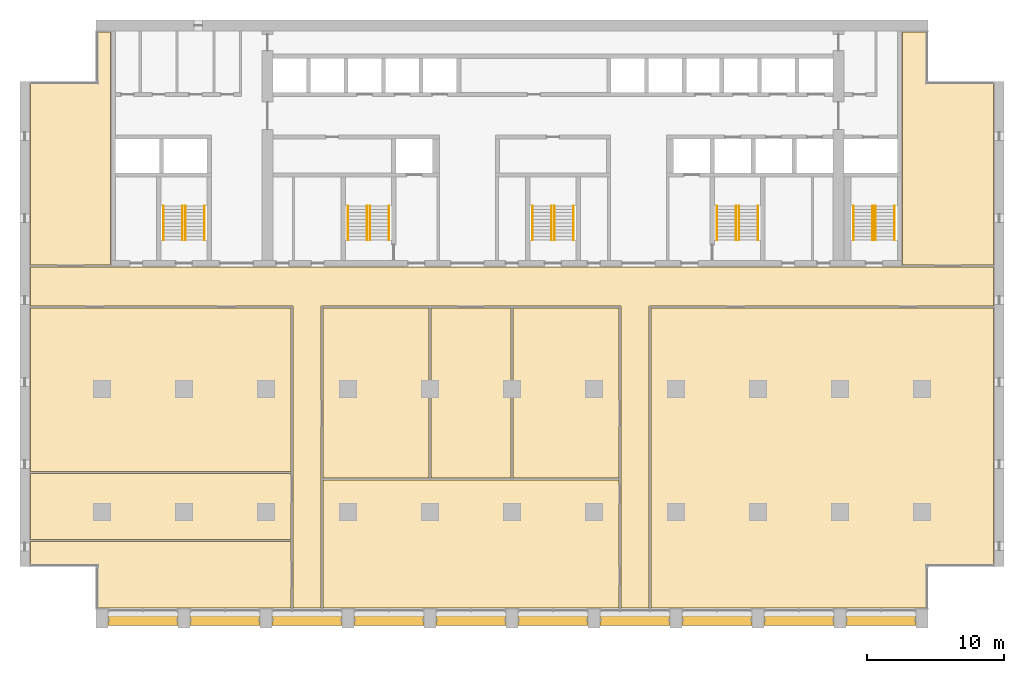
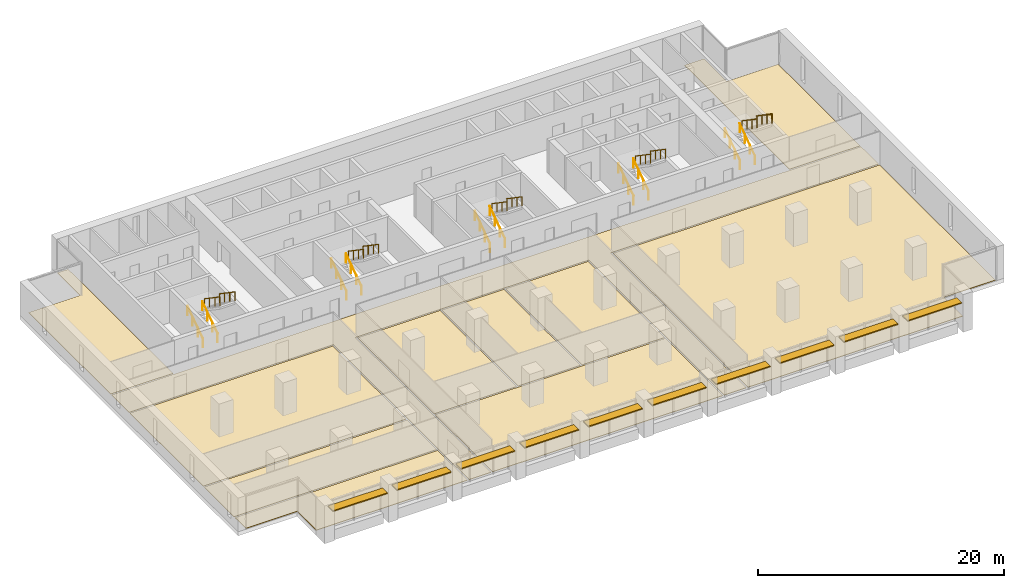
# One storey, part 15 of 15: 20 railings, 11 coverings, 10 shading devices, 5 elements without a shape of their own.
"""IFC4 building model written with IfcOpenShell, lengths in metres."""

from ifc_helpers import new_model, si_unit, direction, frame, origin, origin_2d, place, context, subcontext, project, spatial, polyline, rectangle, circle, outline, extrude, material, layer, layer_set, material_profile, profile_set, type_object, element, aggregate, save


model = new_model("IFC4")

# Units and contexts
model_context = context("Model", 3, precision=1e-05, world=origin(), true_north=direction((0.0, 1.0)))
body_context = subcontext(model_context, "Body", "Model", "MODEL_VIEW")
ifc_project = project(units=[si_unit("LENGTHUNIT", "METRE"), si_unit("AREAUNIT", "SQUARE_METRE"), si_unit("VOLUMEUNIT", "CUBIC_METRE"), si_unit("PLANEANGLEUNIT", "RADIAN"), si_unit("MASSUNIT", "GRAM", prefix="KILO")], contexts=[model_context])

# Site, building, storey
site_placement = place(None, origin())
site = spatial("IfcSite", under=ifc_project, at=site_placement, CompositionType="ELEMENT")
building_placement = place(site_placement, origin())
building = spatial("IfcBuilding", under=site, at=building_placement, Name="Calvaro Tower", CompositionType="ELEMENT")
storey_placement = place(building_placement, frame((0.0, 0.0, 121.25)))
storey = spatial("IfcBuildingStorey", under=building, at=storey_placement, Name="L30", CompositionType="ELEMENT", Elevation=121.25)

# Shading devices
ifc_material_1 = material(Name="Anodised aluminium", Category="aluminium")
ifc_material_profile = material_profile(ifc_material_1, rectangle(XDim=0.800048828125, YDim=0.10009765625, at=origin_2d()), Name="Brise-soleil blade 800 x 100")
ifc_profile_set = profile_set([ifc_material_profile], Name="Anodised aluminium")
shading_device_type = type_object("IfcShadingDeviceType", Name="Brise-soleil blade 800 x 100", PredefinedType="JALOUSIE", material=ifc_profile_set)
for number, where, z_axis, x_axis, name in (
    (1, (6.449951171875, 2.10009765625, 2.39990234375), (1.0, 0.0, 0.0), (0.0, 1.0, 0.0), "Brise-soleil blade 1"),
    (2, (12.449951171875, 2.10009765625, 2.39990234375), (1.0, 0.0, 0.0), (0.0, 1.0, 0.0), "Brise-soleil blade 2"),
    (3, (18.449951171875, 2.10009765625, 2.39990234375), (1.0, 0.0, 0.0), (0.0, 1.0, 0.0), "Brise-soleil blade 3"),
    (4, (24.449951171875, 2.10009765625, 2.39990234375), (1.0, 0.0, 0.0), (0.0, 1.0, 0.0), "Brise-soleil blade 4"),
    (5, (30.449951171875, 2.10009765625, 2.39990234375), (1.0, 0.0, 0.0), (0.0, 1.0, 0.0), "Brise-soleil blade 5"),
    (6, (36.449951171875, 2.10009765625, 2.39990234375), (1.0, 0.0, 0.0), (0.0, 1.0, 0.0), "Brise-soleil blade 6"),
    (7, (42.449951171875, 2.10009765625, 2.39990234375), (1.0, 0.0, 0.0), (0.0, 1.0, 0.0), "Brise-soleil blade 7"),
    (8, (48.449951171875, 2.10009765625, 2.39990234375), (1.0, 0.0, 0.0), (0.0, 1.0, 0.0), "Brise-soleil blade 8"),
    (9, (54.449951171875, 2.10009765625, 2.39990234375), (1.0, 0.0, 0.0), (0.0, 1.0, 0.0), "Brise-soleil blade 9"),
    (10, (60.449951171875, 2.10009765625, 2.39990234375), (1.0, 0.0, 0.0), (0.0, 1.0, 0.0), "Brise-soleil blade 10"),
):
    element("IfcShadingDevice", number, at=place(storey_placement, frame(where, z_axis=z_axis, x_axis=x_axis)), inside=storey, type_object=shading_device_type, Name=name, PredefinedType="JALOUSIE", context=body_context, shape_type="SweptSolid", body=[
        extrude(rectangle(XDim=0.800048828125, YDim=0.10009765625, at=origin_2d()), origin(), (0.0, 0.0, 1.0), 5.10009765625),
    ])

# Coverings
ifc_material_2 = material(Name="Cement screed with carpet tile finish")
ifc_layer = layer(ifc_material_2, 0.050048828125)
ifc_layer_set = layer_set([ifc_layer], Name="Cement screed with carpet tile finish")
covering_type = type_object("IfcCoveringType", Name="Floor finish 50", PredefinedType="FLOORING", material=ifc_layer_set)
covering_1_placement = place(storey_placement, origin())
element("IfcCovering", 11, at=covering_1_placement, inside=storey, type_object=covering_type, Name="Floor finish 19.01", PredefinedType="FLOORING", context=body_context, shape_type="SweptSolid", body=[
    extrude(outline(polyline([(19.969970703125, 2.969970703125), (19.969970703125, 25.070068359375), (0.77001953125, 25.070068359375), (0.77001953125, 27.929931640625), (71.22998046875, 27.929931640625), (71.22998046875, 25.070068359375), (46.030029296875, 25.070068359375), (46.030029296875, 2.969970703125), (43.969970703125, 2.969970703125), (43.969970703125, 25.070068359375), (22.030029296875, 25.070068359375), (22.030029296875, 2.969970703125), (19.969970703125, 2.969970703125)])), origin(), (0.0, 0.0, 1.0), 0.050048828125),
])
covering_2_placement = place(storey_placement, origin())
element("IfcCovering", 12, at=covering_2_placement, inside=storey, type_object=covering_type, Name="Floor finish 19.02", PredefinedType="FLOORING", context=body_context, shape_type="SweptSolid", body=[
    extrude(outline(polyline([(19.830078125, 7.830078125), (19.830078125, 2.969970703125), (5.6201171875, 2.969970703125), (5.6201171875, 6.070068359375), (0.77001953125, 6.070068359375), (0.77001953125, 7.830078125), (19.830078125, 7.830078125)])), origin(), (0.0, 0.0, 1.0), 0.050048828125),
])
covering_3_placement = place(storey_placement, origin())
element("IfcCovering", 13, at=covering_3_placement, inside=storey, type_object=covering_type, Name="Floor finish 19.04", PredefinedType="FLOORING", context=body_context, shape_type="SweptSolid", body=[
    extrude(outline(polyline([(19.830078125, 12.830078125), (19.830078125, 7.969970703125), (0.77001953125, 7.969970703125), (0.77001953125, 12.830078125), (19.830078125, 12.830078125)])), origin(), (0.0, 0.0, 1.0), 0.050048828125),
])
covering_4_placement = place(storey_placement, origin())
element("IfcCovering", 14, at=covering_4_placement, inside=storey, type_object=covering_type, Name="Floor finish 19.09", PredefinedType="FLOORING", context=body_context, shape_type="SweptSolid", body=[
    extrude(outline(polyline([(19.830078125, 24.929931640625), (19.830078125, 12.969970703125), (0.77001953125, 12.969970703125), (0.77001953125, 24.929931640625), (19.830078125, 24.929931640625)])), origin(), (0.0, 0.0, 1.0), 0.050048828125),
])
covering_5_placement = place(storey_placement, origin())
element("IfcCovering", 15, at=covering_5_placement, inside=storey, type_object=covering_type, Name="Floor finish 19.03", PredefinedType="FLOORING", context=body_context, shape_type="SweptSolid", body=[
    extrude(outline(polyline([(22.169921875, 12.330078125), (43.830078125, 12.330078125), (43.830078125, 2.969970703125), (22.169921875, 2.969970703125), (22.169921875, 12.330078125)])), origin(), (0.0, 0.0, 1.0), 0.050048828125),
])
covering_6_placement = place(storey_placement, origin())
element("IfcCovering", 16, at=covering_6_placement, inside=storey, type_object=covering_type, Name="Floor finish 19.06", PredefinedType="FLOORING", context=body_context, shape_type="SweptSolid", body=[
    extrude(outline(polyline([(22.169921875, 12.469970703125), (22.169921875, 24.929931640625), (29.929931640625, 24.929931640625), (29.929931640625, 12.469970703125), (22.169921875, 12.469970703125)])), origin(), (0.0, 0.0, 1.0), 0.050048828125),
])
covering_7_placement = place(storey_placement, origin())
element("IfcCovering", 17, at=covering_7_placement, inside=storey, type_object=covering_type, Name="Floor finish 19.07", PredefinedType="FLOORING", context=body_context, shape_type="SweptSolid", body=[
    extrude(outline(polyline([(30.070068359375, 12.469970703125), (30.070068359375, 24.929931640625), (35.929931640625, 24.929931640625), (35.929931640625, 12.469970703125), (30.070068359375, 12.469970703125)])), origin(), (0.0, 0.0, 1.0), 0.050048828125),
])
covering_8_placement = place(storey_placement, origin())
element("IfcCovering", 18, at=covering_8_placement, inside=storey, type_object=covering_type, Name="Floor finish 19.08", PredefinedType="FLOORING", context=body_context, shape_type="SweptSolid", body=[
    extrude(outline(polyline([(36.070068359375, 12.469970703125), (36.070068359375, 24.929931640625), (43.830078125, 24.929931640625), (43.830078125, 12.469970703125), (36.070068359375, 12.469970703125)])), origin(), (0.0, 0.0, 1.0), 0.050048828125),
])
covering_9_placement = place(storey_placement, origin())
element("IfcCovering", 19, at=covering_9_placement, inside=storey, type_object=covering_type, Name="Floor finish 19.05", PredefinedType="FLOORING", context=body_context, shape_type="SweptSolid", body=[
    extrude(outline(polyline([(71.22998046875, 6.070068359375), (66.3798828125, 6.070068359375), (66.3798828125, 2.969970703125), (46.169921875, 2.969970703125), (46.169921875, 24.929931640625), (71.22998046875, 24.929931640625), (71.22998046875, 6.070068359375)])), origin(), (0.0, 0.0, 1.0), 0.050048828125),
])
covering_10_placement = place(storey_placement, origin())
element("IfcCovering", 20, at=covering_10_placement, inside=storey, type_object=covering_type, Name="Floor finish 19.10", PredefinedType="FLOORING", context=body_context, shape_type="SweptSolid", body=[
    extrude(outline(polyline([(6.6298828125, 28.070068359375), (0.77001953125, 28.070068359375), (0.77001953125, 41.429931640625), (5.6201171875, 41.429931640625), (5.6201171875, 45.1298828125), (6.6298828125, 45.1298828125), (6.6298828125, 28.070068359375)])), origin(), (0.0, 0.0, 1.0), 0.050048828125),
])
covering_11_placement = place(storey_placement, origin())
element("IfcCovering", 21, at=covering_11_placement, inside=storey, type_object=covering_type, Name="Floor finish 19.11", PredefinedType="FLOORING", context=body_context, shape_type="SweptSolid", body=[
    extrude(outline(polyline([(71.22998046875, 28.070068359375), (64.570068359375, 28.070068359375), (64.570068359375, 45.1298828125), (66.3798828125, 45.1298828125), (66.3798828125, 41.429931640625), (71.22998046875, 41.429931640625), (71.22998046875, 28.070068359375)])), origin(), (0.0, 0.0, 1.0), 0.050048828125),
])

# Stair, railings
ifc_material_3 = material(Name="Concrete C40/50", Category="concrete")
stair_type = type_object("IfcStairType", Name="Exit stair 1400 2 flights", PredefinedType="HALF_TURN_STAIR", material=ifc_material_3)
stair_1_placement = place(storey_placement, origin())
stair_1 = element("IfcStair", 22, at=stair_1_placement, inside=storey, type_object=stair_type, Name="Exit stair S1", PredefinedType="HALF_TURN_STAIR")
ifc_material_4 = material(Name="Stainless steel", Category="steel")
railing_type = type_object("IfcRailingType", Name="Stair handrail", PredefinedType="HANDRAIL", material=ifc_material_4)
railing_1_placement = place(storey_placement, frame((11.89990234375, 29.89990234375, 0.17041015625)))
railing_1 = element("IfcRailing", 23, at=railing_1_placement, type_object=railing_type, Name="Exit stair 1 handrail", PredefinedType="HANDRAIL", context=body_context, shape_type="SweptSolid", body=[
    extrude(circle(Radius=0.02392578125, at=origin_2d()), frame((0.0, 0.0, 0.8759765625), z_axis=(0.0, 0.826220514629, 0.563346839174), x_axis=(-1.0, 0.0, 0.0)), (0.0, 0.0, 1.0), 3.02587890625),
    extrude(circle(Radius=0.02099609375, at=origin_2d()), frame((0.0, 0.017333984375, 0.01171875)), (0.0, 0.0, 1.0), 0.851806640625),
    extrude(circle(Radius=0.02099609375, at=origin_2d()), frame((0.0, 0.833251953125, 0.568115234375)), (0.0, 0.0, 1.0), 0.851806640625),
    extrude(circle(Radius=0.02099609375, at=origin_2d()), frame((0.0, 1.666748046875, 1.136474609375)), (0.0, 0.0, 1.0), 0.851806640625),
    extrude(circle(Radius=0.02099609375, at=origin_2d()), frame((0.0, 2.482666015625, 1.69287109375)), (0.0, 0.0, 1.0), 0.851806640625),
])
railing_2_placement = place(storey_placement, frame((10.5, 29.89990234375, 0.17041015625)))
railing_2 = element("IfcRailing", 24, at=railing_2_placement, type_object=railing_type, Name="Exit stair 1 handrail", PredefinedType="HANDRAIL", context=body_context, shape_type="SweptSolid", body=[
    extrude(circle(Radius=0.02392578125, at=origin_2d()), frame((0.0, 0.0, 0.8759765625), z_axis=(0.0, 0.826220514629, 0.563346839174), x_axis=(-1.0, 0.0, 0.0)), (0.0, 0.0, 1.0), 3.02587890625),
    extrude(circle(Radius=0.02099609375, at=origin_2d()), frame((0.0, 0.017333984375, 0.01171875)), (0.0, 0.0, 1.0), 0.851806640625),
    extrude(circle(Radius=0.02099609375, at=origin_2d()), frame((0.0, 0.833251953125, 0.568115234375)), (0.0, 0.0, 1.0), 0.851806640625),
    extrude(circle(Radius=0.02099609375, at=origin_2d()), frame((0.0, 1.666748046875, 1.136474609375)), (0.0, 0.0, 1.0), 0.851806640625),
    extrude(circle(Radius=0.02099609375, at=origin_2d()), frame((0.0, 2.482666015625, 1.69287109375)), (0.0, 0.0, 1.0), 0.851806640625),
])
railing_3_placement = place(storey_placement, frame((12.10009765625, 32.39990234375, 2.04541015625)))
railing_3 = element("IfcRailing", 25, at=railing_3_placement, type_object=railing_type, Name="Exit stair 1 handrail", PredefinedType="HANDRAIL", context=body_context, shape_type="SweptSolid", body=[
    extrude(circle(Radius=0.02392578125, at=origin_2d()), frame((0.0, 0.0, 0.8759765625), z_axis=(0.0, -0.826220514629, 0.563346839174), x_axis=(1.0, 0.0, 0.0)), (0.0, 0.0, 1.0), 3.02587890625),
    extrude(circle(Radius=0.02099609375, at=origin_2d()), frame((0.0, -0.017333984375, 0.01171875)), (0.0, 0.0, 1.0), 0.851806640625),
    extrude(circle(Radius=0.02099609375, at=origin_2d()), frame((0.0, -0.833251953125, 0.568115234375)), (0.0, 0.0, 1.0), 0.851806640625),
    extrude(circle(Radius=0.02099609375, at=origin_2d()), frame((0.0, -1.666748046875, 1.136474609375)), (0.0, 0.0, 1.0), 0.851806640625),
    extrude(circle(Radius=0.02099609375, at=origin_2d()), frame((0.0, -2.482666015625, 1.69287109375)), (0.0, 0.0, 1.0), 0.851806640625),
])
railing_4_placement = place(storey_placement, frame((13.5, 32.39990234375, 2.04541015625)))
railing_4 = element("IfcRailing", 26, at=railing_4_placement, type_object=railing_type, Name="Exit stair 1 handrail", PredefinedType="HANDRAIL", context=body_context, shape_type="SweptSolid", body=[
    extrude(circle(Radius=0.02392578125, at=origin_2d()), frame((0.0, 0.0, 0.8759765625), z_axis=(0.0, -0.826220514629, 0.563346839174), x_axis=(1.0, 0.0, 0.0)), (0.0, 0.0, 1.0), 3.02587890625),
    extrude(circle(Radius=0.02099609375, at=origin_2d()), frame((0.0, -0.017333984375, 0.01171875)), (0.0, 0.0, 1.0), 0.851806640625),
    extrude(circle(Radius=0.02099609375, at=origin_2d()), frame((0.0, -0.833251953125, 0.568115234375)), (0.0, 0.0, 1.0), 0.851806640625),
    extrude(circle(Radius=0.02099609375, at=origin_2d()), frame((0.0, -1.666748046875, 1.136474609375)), (0.0, 0.0, 1.0), 0.851806640625),
    extrude(circle(Radius=0.02099609375, at=origin_2d()), frame((0.0, -2.482666015625, 1.69287109375)), (0.0, 0.0, 1.0), 0.851806640625),
])
aggregate(stair_1, [railing_1, railing_2, railing_3, railing_4])

stair_2_placement = place(storey_placement, origin())
stair_2 = element("IfcStair", 27, at=stair_2_placement, inside=storey, type_object=stair_type, Name="Exit stair S2", PredefinedType="HALF_TURN_STAIR")
railing_5_placement = place(storey_placement, frame((25.39990234375, 29.89990234375, 0.17041015625)))
railing_5 = element("IfcRailing", 28, at=railing_5_placement, type_object=railing_type, Name="Exit stair 2 handrail", PredefinedType="HANDRAIL", context=body_context, shape_type="SweptSolid", body=[
    extrude(circle(Radius=0.02392578125, at=origin_2d()), frame((0.0, 0.0, 0.8759765625), z_axis=(0.0, 0.826220514629, 0.563346839174), x_axis=(-1.0, 0.0, 0.0)), (0.0, 0.0, 1.0), 3.02587890625),
    extrude(circle(Radius=0.02099609375, at=origin_2d()), frame((0.0, 0.017333984375, 0.01171875)), (0.0, 0.0, 1.0), 0.851806640625),
    extrude(circle(Radius=0.02099609375, at=origin_2d()), frame((0.0, 0.833251953125, 0.568115234375)), (0.0, 0.0, 1.0), 0.851806640625),
    extrude(circle(Radius=0.02099609375, at=origin_2d()), frame((0.0, 1.666748046875, 1.136474609375)), (0.0, 0.0, 1.0), 0.851806640625),
    extrude(circle(Radius=0.02099609375, at=origin_2d()), frame((0.0, 2.482666015625, 1.69287109375)), (0.0, 0.0, 1.0), 0.851806640625),
])
railing_6_placement = place(storey_placement, frame((24.0, 29.89990234375, 0.17041015625)))
railing_6 = element("IfcRailing", 29, at=railing_6_placement, type_object=railing_type, Name="Exit stair 2 handrail", PredefinedType="HANDRAIL", context=body_context, shape_type="SweptSolid", body=[
    extrude(circle(Radius=0.02392578125, at=origin_2d()), frame((0.0, 0.0, 0.8759765625), z_axis=(0.0, 0.826220514629, 0.563346839174), x_axis=(-1.0, 0.0, 0.0)), (0.0, 0.0, 1.0), 3.02587890625),
    extrude(circle(Radius=0.02099609375, at=origin_2d()), frame((0.0, 0.017333984375, 0.01171875)), (0.0, 0.0, 1.0), 0.851806640625),
    extrude(circle(Radius=0.02099609375, at=origin_2d()), frame((0.0, 0.833251953125, 0.568115234375)), (0.0, 0.0, 1.0), 0.851806640625),
    extrude(circle(Radius=0.02099609375, at=origin_2d()), frame((0.0, 1.666748046875, 1.136474609375)), (0.0, 0.0, 1.0), 0.851806640625),
    extrude(circle(Radius=0.02099609375, at=origin_2d()), frame((0.0, 2.482666015625, 1.69287109375)), (0.0, 0.0, 1.0), 0.851806640625),
])
railing_7_placement = place(storey_placement, frame((25.60009765625, 32.39990234375, 2.04541015625)))
railing_7 = element("IfcRailing", 30, at=railing_7_placement, type_object=railing_type, Name="Exit stair 2 handrail", PredefinedType="HANDRAIL", context=body_context, shape_type="SweptSolid", body=[
    extrude(circle(Radius=0.02392578125, at=origin_2d()), frame((0.0, 0.0, 0.8759765625), z_axis=(0.0, -0.826220514629, 0.563346839174), x_axis=(1.0, 0.0, 0.0)), (0.0, 0.0, 1.0), 3.02587890625),
    extrude(circle(Radius=0.02099609375, at=origin_2d()), frame((0.0, -0.017333984375, 0.01171875)), (0.0, 0.0, 1.0), 0.851806640625),
    extrude(circle(Radius=0.02099609375, at=origin_2d()), frame((0.0, -0.833251953125, 0.568115234375)), (0.0, 0.0, 1.0), 0.851806640625),
    extrude(circle(Radius=0.02099609375, at=origin_2d()), frame((0.0, -1.666748046875, 1.136474609375)), (0.0, 0.0, 1.0), 0.851806640625),
    extrude(circle(Radius=0.02099609375, at=origin_2d()), frame((0.0, -2.482666015625, 1.69287109375)), (0.0, 0.0, 1.0), 0.851806640625),
])
railing_8_placement = place(storey_placement, frame((27.0, 32.39990234375, 2.04541015625)))
railing_8 = element("IfcRailing", 31, at=railing_8_placement, type_object=railing_type, Name="Exit stair 2 handrail", PredefinedType="HANDRAIL", context=body_context, shape_type="SweptSolid", body=[
    extrude(circle(Radius=0.02392578125, at=origin_2d()), frame((0.0, 0.0, 0.8759765625), z_axis=(0.0, -0.826220514629, 0.563346839174), x_axis=(1.0, 0.0, 0.0)), (0.0, 0.0, 1.0), 3.02587890625),
    extrude(circle(Radius=0.02099609375, at=origin_2d()), frame((0.0, -0.017333984375, 0.01171875)), (0.0, 0.0, 1.0), 0.851806640625),
    extrude(circle(Radius=0.02099609375, at=origin_2d()), frame((0.0, -0.833251953125, 0.568115234375)), (0.0, 0.0, 1.0), 0.851806640625),
    extrude(circle(Radius=0.02099609375, at=origin_2d()), frame((0.0, -1.666748046875, 1.136474609375)), (0.0, 0.0, 1.0), 0.851806640625),
    extrude(circle(Radius=0.02099609375, at=origin_2d()), frame((0.0, -2.482666015625, 1.69287109375)), (0.0, 0.0, 1.0), 0.851806640625),
])
aggregate(stair_2, [railing_5, railing_6, railing_7, railing_8])

stair_3_placement = place(storey_placement, origin())
stair_3 = element("IfcStair", 32, at=stair_3_placement, inside=storey, type_object=stair_type, Name="Exit stair S3", PredefinedType="HALF_TURN_STAIR")
railing_9_placement = place(storey_placement, frame((38.89990234375, 29.89990234375, 0.17041015625)))
railing_9 = element("IfcRailing", 33, at=railing_9_placement, type_object=railing_type, Name="Exit stair 3 handrail", PredefinedType="HANDRAIL", context=body_context, shape_type="SweptSolid", body=[
    extrude(circle(Radius=0.02392578125, at=origin_2d()), frame((0.0, 0.0, 0.8759765625), z_axis=(0.0, 0.826220514629, 0.563346839174), x_axis=(-1.0, 0.0, 0.0)), (0.0, 0.0, 1.0), 3.02587890625),
    extrude(circle(Radius=0.02099609375, at=origin_2d()), frame((0.0, 0.017333984375, 0.01171875)), (0.0, 0.0, 1.0), 0.851806640625),
    extrude(circle(Radius=0.02099609375, at=origin_2d()), frame((0.0, 0.833251953125, 0.568115234375)), (0.0, 0.0, 1.0), 0.851806640625),
    extrude(circle(Radius=0.02099609375, at=origin_2d()), frame((0.0, 1.666748046875, 1.136474609375)), (0.0, 0.0, 1.0), 0.851806640625),
    extrude(circle(Radius=0.02099609375, at=origin_2d()), frame((0.0, 2.482666015625, 1.69287109375)), (0.0, 0.0, 1.0), 0.851806640625),
])
railing_10_placement = place(storey_placement, frame((37.5, 29.89990234375, 0.17041015625)))
railing_10 = element("IfcRailing", 34, at=railing_10_placement, type_object=railing_type, Name="Exit stair 3 handrail", PredefinedType="HANDRAIL", context=body_context, shape_type="SweptSolid", body=[
    extrude(circle(Radius=0.02392578125, at=origin_2d()), frame((0.0, 0.0, 0.8759765625), z_axis=(0.0, 0.826220514629, 0.563346839174), x_axis=(-1.0, 0.0, 0.0)), (0.0, 0.0, 1.0), 3.02587890625),
    extrude(circle(Radius=0.02099609375, at=origin_2d()), frame((0.0, 0.017333984375, 0.01171875)), (0.0, 0.0, 1.0), 0.851806640625),
    extrude(circle(Radius=0.02099609375, at=origin_2d()), frame((0.0, 0.833251953125, 0.568115234375)), (0.0, 0.0, 1.0), 0.851806640625),
    extrude(circle(Radius=0.02099609375, at=origin_2d()), frame((0.0, 1.666748046875, 1.136474609375)), (0.0, 0.0, 1.0), 0.851806640625),
    extrude(circle(Radius=0.02099609375, at=origin_2d()), frame((0.0, 2.482666015625, 1.69287109375)), (0.0, 0.0, 1.0), 0.851806640625),
])
railing_11_placement = place(storey_placement, frame((39.10009765625, 32.39990234375, 2.04541015625)))
railing_11 = element("IfcRailing", 35, at=railing_11_placement, type_object=railing_type, Name="Exit stair 3 handrail", PredefinedType="HANDRAIL", context=body_context, shape_type="SweptSolid", body=[
    extrude(circle(Radius=0.02392578125, at=origin_2d()), frame((0.0, 0.0, 0.8759765625), z_axis=(0.0, -0.826220514629, 0.563346839174), x_axis=(1.0, 0.0, 0.0)), (0.0, 0.0, 1.0), 3.02587890625),
    extrude(circle(Radius=0.02099609375, at=origin_2d()), frame((0.0, -0.017333984375, 0.01171875)), (0.0, 0.0, 1.0), 0.851806640625),
    extrude(circle(Radius=0.02099609375, at=origin_2d()), frame((0.0, -0.833251953125, 0.568115234375)), (0.0, 0.0, 1.0), 0.851806640625),
    extrude(circle(Radius=0.02099609375, at=origin_2d()), frame((0.0, -1.666748046875, 1.136474609375)), (0.0, 0.0, 1.0), 0.851806640625),
    extrude(circle(Radius=0.02099609375, at=origin_2d()), frame((0.0, -2.482666015625, 1.69287109375)), (0.0, 0.0, 1.0), 0.851806640625),
])
railing_12_placement = place(storey_placement, frame((40.5, 32.39990234375, 2.04541015625)))
railing_12 = element("IfcRailing", 36, at=railing_12_placement, type_object=railing_type, Name="Exit stair 3 handrail", PredefinedType="HANDRAIL", context=body_context, shape_type="SweptSolid", body=[
    extrude(circle(Radius=0.02392578125, at=origin_2d()), frame((0.0, 0.0, 0.8759765625), z_axis=(0.0, -0.826220514629, 0.563346839174), x_axis=(1.0, 0.0, 0.0)), (0.0, 0.0, 1.0), 3.02587890625),
    extrude(circle(Radius=0.02099609375, at=origin_2d()), frame((0.0, -0.017333984375, 0.01171875)), (0.0, 0.0, 1.0), 0.851806640625),
    extrude(circle(Radius=0.02099609375, at=origin_2d()), frame((0.0, -0.833251953125, 0.568115234375)), (0.0, 0.0, 1.0), 0.851806640625),
    extrude(circle(Radius=0.02099609375, at=origin_2d()), frame((0.0, -1.666748046875, 1.136474609375)), (0.0, 0.0, 1.0), 0.851806640625),
    extrude(circle(Radius=0.02099609375, at=origin_2d()), frame((0.0, -2.482666015625, 1.69287109375)), (0.0, 0.0, 1.0), 0.851806640625),
])
aggregate(stair_3, [railing_9, railing_10, railing_11, railing_12])

stair_4_placement = place(storey_placement, origin())
stair_4 = element("IfcStair", 37, at=stair_4_placement, inside=storey, type_object=stair_type, Name="Exit stair S4", PredefinedType="HALF_TURN_STAIR")
railing_13_placement = place(storey_placement, frame((52.39990234375, 29.89990234375, 0.17041015625)))
railing_13 = element("IfcRailing", 38, at=railing_13_placement, type_object=railing_type, Name="Exit stair 4 handrail", PredefinedType="HANDRAIL", context=body_context, shape_type="SweptSolid", body=[
    extrude(circle(Radius=0.02392578125, at=origin_2d()), frame((0.0, 0.0, 0.8759765625), z_axis=(0.0, 0.826220514629, 0.563346839174), x_axis=(-1.0, 0.0, 0.0)), (0.0, 0.0, 1.0), 3.02587890625),
    extrude(circle(Radius=0.02099609375, at=origin_2d()), frame((0.0, 0.017333984375, 0.01171875)), (0.0, 0.0, 1.0), 0.851806640625),
    extrude(circle(Radius=0.02099609375, at=origin_2d()), frame((0.0, 0.833251953125, 0.568115234375)), (0.0, 0.0, 1.0), 0.851806640625),
    extrude(circle(Radius=0.02099609375, at=origin_2d()), frame((0.0, 1.666748046875, 1.136474609375)), (0.0, 0.0, 1.0), 0.851806640625),
    extrude(circle(Radius=0.02099609375, at=origin_2d()), frame((0.0, 2.482666015625, 1.69287109375)), (0.0, 0.0, 1.0), 0.851806640625),
])
railing_14_placement = place(storey_placement, frame((51.0, 29.89990234375, 0.17041015625)))
railing_14 = element("IfcRailing", 39, at=railing_14_placement, type_object=railing_type, Name="Exit stair 4 handrail", PredefinedType="HANDRAIL", context=body_context, shape_type="SweptSolid", body=[
    extrude(circle(Radius=0.02392578125, at=origin_2d()), frame((0.0, 0.0, 0.8759765625), z_axis=(0.0, 0.826220514629, 0.563346839174), x_axis=(-1.0, 0.0, 0.0)), (0.0, 0.0, 1.0), 3.02587890625),
    extrude(circle(Radius=0.02099609375, at=origin_2d()), frame((0.0, 0.017333984375, 0.01171875)), (0.0, 0.0, 1.0), 0.851806640625),
    extrude(circle(Radius=0.02099609375, at=origin_2d()), frame((0.0, 0.833251953125, 0.568115234375)), (0.0, 0.0, 1.0), 0.851806640625),
    extrude(circle(Radius=0.02099609375, at=origin_2d()), frame((0.0, 1.666748046875, 1.136474609375)), (0.0, 0.0, 1.0), 0.851806640625),
    extrude(circle(Radius=0.02099609375, at=origin_2d()), frame((0.0, 2.482666015625, 1.69287109375)), (0.0, 0.0, 1.0), 0.851806640625),
])
railing_15_placement = place(storey_placement, frame((52.60009765625, 32.39990234375, 2.04541015625)))
railing_15 = element("IfcRailing", 40, at=railing_15_placement, type_object=railing_type, Name="Exit stair 4 handrail", PredefinedType="HANDRAIL", context=body_context, shape_type="SweptSolid", body=[
    extrude(circle(Radius=0.02392578125, at=origin_2d()), frame((0.0, 0.0, 0.8759765625), z_axis=(0.0, -0.826220514629, 0.563346839174), x_axis=(1.0, 0.0, 0.0)), (0.0, 0.0, 1.0), 3.02587890625),
    extrude(circle(Radius=0.02099609375, at=origin_2d()), frame((0.0, -0.017333984375, 0.01171875)), (0.0, 0.0, 1.0), 0.851806640625),
    extrude(circle(Radius=0.02099609375, at=origin_2d()), frame((0.0, -0.833251953125, 0.568115234375)), (0.0, 0.0, 1.0), 0.851806640625),
    extrude(circle(Radius=0.02099609375, at=origin_2d()), frame((0.0, -1.666748046875, 1.136474609375)), (0.0, 0.0, 1.0), 0.851806640625),
    extrude(circle(Radius=0.02099609375, at=origin_2d()), frame((0.0, -2.482666015625, 1.69287109375)), (0.0, 0.0, 1.0), 0.851806640625),
])
railing_16_placement = place(storey_placement, frame((54.0, 32.39990234375, 2.04541015625)))
railing_16 = element("IfcRailing", 41, at=railing_16_placement, type_object=railing_type, Name="Exit stair 4 handrail", PredefinedType="HANDRAIL", context=body_context, shape_type="SweptSolid", body=[
    extrude(circle(Radius=0.02392578125, at=origin_2d()), frame((0.0, 0.0, 0.8759765625), z_axis=(0.0, -0.826220514629, 0.563346839174), x_axis=(1.0, 0.0, 0.0)), (0.0, 0.0, 1.0), 3.02587890625),
    extrude(circle(Radius=0.02099609375, at=origin_2d()), frame((0.0, -0.017333984375, 0.01171875)), (0.0, 0.0, 1.0), 0.851806640625),
    extrude(circle(Radius=0.02099609375, at=origin_2d()), frame((0.0, -0.833251953125, 0.568115234375)), (0.0, 0.0, 1.0), 0.851806640625),
    extrude(circle(Radius=0.02099609375, at=origin_2d()), frame((0.0, -1.666748046875, 1.136474609375)), (0.0, 0.0, 1.0), 0.851806640625),
    extrude(circle(Radius=0.02099609375, at=origin_2d()), frame((0.0, -2.482666015625, 1.69287109375)), (0.0, 0.0, 1.0), 0.851806640625),
])
aggregate(stair_4, [railing_13, railing_14, railing_15, railing_16])

stair_5_placement = place(storey_placement, origin())
stair_5 = element("IfcStair", 42, at=stair_5_placement, inside=storey, type_object=stair_type, Name="Exit stair S5", PredefinedType="HALF_TURN_STAIR")
railing_17_placement = place(storey_placement, frame((62.39990234375, 29.89990234375, 0.17041015625)))
railing_17 = element("IfcRailing", 43, at=railing_17_placement, type_object=railing_type, Name="Exit stair 5 handrail", PredefinedType="HANDRAIL", context=body_context, shape_type="SweptSolid", body=[
    extrude(circle(Radius=0.02392578125, at=origin_2d()), frame((0.0, 0.0, 0.8759765625), z_axis=(0.0, 0.826220514629, 0.563346839174), x_axis=(-1.0, 0.0, 0.0)), (0.0, 0.0, 1.0), 3.02587890625),
    extrude(circle(Radius=0.02099609375, at=origin_2d()), frame((0.0, 0.017333984375, 0.01171875)), (0.0, 0.0, 1.0), 0.851806640625),
    extrude(circle(Radius=0.02099609375, at=origin_2d()), frame((0.0, 0.833251953125, 0.568115234375)), (0.0, 0.0, 1.0), 0.851806640625),
    extrude(circle(Radius=0.02099609375, at=origin_2d()), frame((0.0, 1.666748046875, 1.136474609375)), (0.0, 0.0, 1.0), 0.851806640625),
    extrude(circle(Radius=0.02099609375, at=origin_2d()), frame((0.0, 2.482666015625, 1.69287109375)), (0.0, 0.0, 1.0), 0.851806640625),
])
railing_18_placement = place(storey_placement, frame((61.0, 29.89990234375, 0.17041015625)))
railing_18 = element("IfcRailing", 44, at=railing_18_placement, type_object=railing_type, Name="Exit stair 5 handrail", PredefinedType="HANDRAIL", context=body_context, shape_type="SweptSolid", body=[
    extrude(circle(Radius=0.02392578125, at=origin_2d()), frame((0.0, 0.0, 0.8759765625), z_axis=(0.0, 0.826220514629, 0.563346839174), x_axis=(-1.0, 0.0, 0.0)), (0.0, 0.0, 1.0), 3.02587890625),
    extrude(circle(Radius=0.02099609375, at=origin_2d()), frame((0.0, 0.017333984375, 0.01171875)), (0.0, 0.0, 1.0), 0.851806640625),
    extrude(circle(Radius=0.02099609375, at=origin_2d()), frame((0.0, 0.833251953125, 0.568115234375)), (0.0, 0.0, 1.0), 0.851806640625),
    extrude(circle(Radius=0.02099609375, at=origin_2d()), frame((0.0, 1.666748046875, 1.136474609375)), (0.0, 0.0, 1.0), 0.851806640625),
    extrude(circle(Radius=0.02099609375, at=origin_2d()), frame((0.0, 2.482666015625, 1.69287109375)), (0.0, 0.0, 1.0), 0.851806640625),
])
railing_19_placement = place(storey_placement, frame((62.60009765625, 32.39990234375, 2.04541015625)))
railing_19 = element("IfcRailing", 45, at=railing_19_placement, type_object=railing_type, Name="Exit stair 5 handrail", PredefinedType="HANDRAIL", context=body_context, shape_type="SweptSolid", body=[
    extrude(circle(Radius=0.02392578125, at=origin_2d()), frame((0.0, 0.0, 0.8759765625), z_axis=(0.0, -0.826220514629, 0.563346839174), x_axis=(1.0, 0.0, 0.0)), (0.0, 0.0, 1.0), 3.02587890625),
    extrude(circle(Radius=0.02099609375, at=origin_2d()), frame((0.0, -0.017333984375, 0.01171875)), (0.0, 0.0, 1.0), 0.851806640625),
    extrude(circle(Radius=0.02099609375, at=origin_2d()), frame((0.0, -0.833251953125, 0.568115234375)), (0.0, 0.0, 1.0), 0.851806640625),
    extrude(circle(Radius=0.02099609375, at=origin_2d()), frame((0.0, -1.666748046875, 1.136474609375)), (0.0, 0.0, 1.0), 0.851806640625),
    extrude(circle(Radius=0.02099609375, at=origin_2d()), frame((0.0, -2.482666015625, 1.69287109375)), (0.0, 0.0, 1.0), 0.851806640625),
])
railing_20_placement = place(storey_placement, frame((64.0, 32.39990234375, 2.04541015625)))
railing_20 = element("IfcRailing", 46, at=railing_20_placement, type_object=railing_type, Name="Exit stair 5 handrail", PredefinedType="HANDRAIL", context=body_context, shape_type="SweptSolid", body=[
    extrude(circle(Radius=0.02392578125, at=origin_2d()), frame((0.0, 0.0, 0.8759765625), z_axis=(0.0, -0.826220514629, 0.563346839174), x_axis=(1.0, 0.0, 0.0)), (0.0, 0.0, 1.0), 3.02587890625),
    extrude(circle(Radius=0.02099609375, at=origin_2d()), frame((0.0, -0.017333984375, 0.01171875)), (0.0, 0.0, 1.0), 0.851806640625),
    extrude(circle(Radius=0.02099609375, at=origin_2d()), frame((0.0, -0.833251953125, 0.568115234375)), (0.0, 0.0, 1.0), 0.851806640625),
    extrude(circle(Radius=0.02099609375, at=origin_2d()), frame((0.0, -1.666748046875, 1.136474609375)), (0.0, 0.0, 1.0), 0.851806640625),
    extrude(circle(Radius=0.02099609375, at=origin_2d()), frame((0.0, -2.482666015625, 1.69287109375)), (0.0, 0.0, 1.0), 0.851806640625),
])
aggregate(stair_5, [railing_17, railing_18, railing_19, railing_20])

save(model, "model.ifc")
